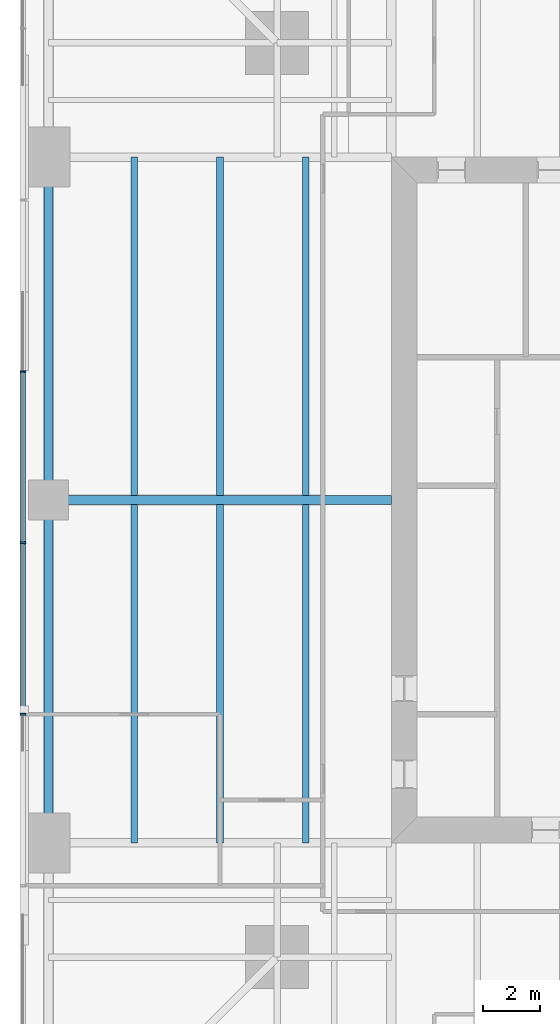
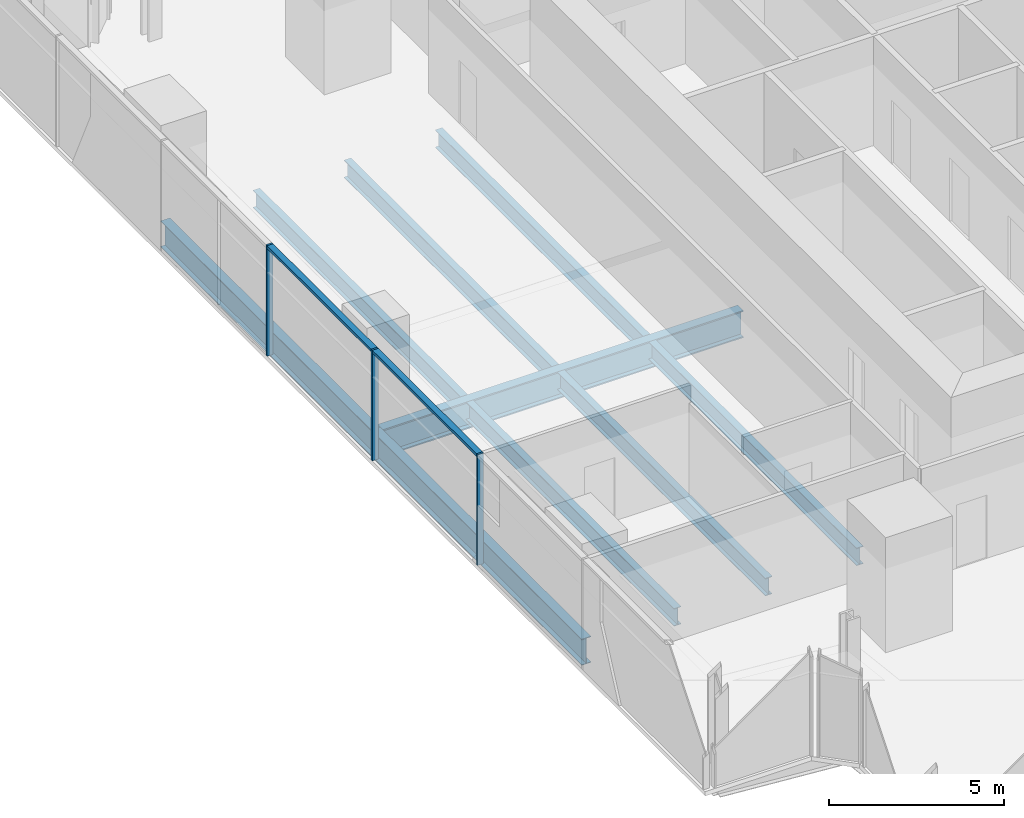
# One storey, part 4 of 13: 9 beams, 5 members, 1 element without a shape of its own.
"""IFC4 building model written with IfcOpenShell, lengths in metres."""

from ifc_helpers import new_model, si_unit, direction, frame, origin, origin_2d, place, context, subcontext, project, spatial, rectangle, i_section, extrude, material, material_profile, profile_set, type_object, element, aggregate, save


model = new_model("IFC4")

# Units and contexts
model_context = context("Model", 3, precision=1e-05, world=origin(), true_north=direction((0.0, 1.0)))
body_context = subcontext(model_context, "Body", "Model", "MODEL_VIEW")
ifc_project = project(units=[si_unit("LENGTHUNIT", "METRE"), si_unit("AREAUNIT", "SQUARE_METRE"), si_unit("VOLUMEUNIT", "CUBIC_METRE"), si_unit("PLANEANGLEUNIT", "RADIAN"), si_unit("MASSUNIT", "GRAM", prefix="KILO")], contexts=[model_context])

# Site, building, storey
site_placement = place(None, origin())
site = spatial("IfcSite", under=ifc_project, at=site_placement, CompositionType="ELEMENT")
building_placement = place(site_placement, origin())
building = spatial("IfcBuilding", under=site, at=building_placement, Name="Fenwick Lantern Interchange", CompositionType="ELEMENT")
storey_placement = place(building_placement, frame((0.0, 0.0, 126.39990234375)))
storey = spatial("IfcBuildingStorey", under=building, at=storey_placement, Name="L29", CompositionType="ELEMENT", Elevation=126.39990234375)

# Beams
ifc_material_1 = material(Name="Steel ASTM A992 Grade 50", Category="steel")
ifc_material_profile_1 = material_profile(ifc_material_1, i_section(OverallWidth=0.3046875, OverallDepth=0.911865234375, WebThickness=0.015869140625, FlangeThickness=0.02392578125, at=origin_2d()), Name="W36X150")
ifc_profile_set_1 = profile_set([ifc_material_profile_1], Name="Steel ASTM A992 Grade 50")
beam_type_1 = type_object("IfcBeamType", Name="EDGE BEAM W36X150", PredefinedType="SPANDREL", material=ifc_profile_set_1)
for number, where, z_axis, x_axis, name in (
    (1, (1.0, 37.0, -0.605712890625), (0.0, -1.0, 0.0), (1.0, 0.0, 0.0), "L29/FR/W/EB2"),
    (2, (1.0, 25.0, -0.605712890625), (0.0, -1.0, 0.0), (1.0, 0.0, 0.0), "L29/FR/W/EB3"),
):
    element("IfcBeam", number, at=place(storey_placement, frame(where, z_axis=z_axis, x_axis=x_axis)), inside=storey, type_object=beam_type_1, Name=name, PredefinedType="SPANDREL", context=body_context, shape_type="SweptSolid", body=[
        extrude(i_section(OverallWidth=0.3046875, OverallDepth=0.911865234375, WebThickness=0.015869140625, FlangeThickness=0.02392578125, at=origin_2d()), origin(), (0.0, 0.0, 1.0), 12.0),
    ])
ifc_material_profile_2 = material_profile(ifc_material_1, i_section(OverallWidth=0.22900390625, OverallDepth=0.612060546875, WebThickness=0.011962890625, FlangeThickness=0.01953125, at=origin_2d()), Name="W24X84")
ifc_profile_set_2 = profile_set([ifc_material_profile_2], Name="Steel ASTM A992 Grade 50")
beam_type_2 = type_object("IfcBeamType", Name="FLOOR BEAM W24X84", PredefinedType="BEAM", material=ifc_profile_set_2)
for number, where, z_axis, x_axis, name in (
    (3, (4.0, 37.0, -0.4560546875), (0.0, -1.0, 0.0), (1.0, 0.0, 0.0), "L29/FR/W/B01"),
    (4, (7.0, 37.0, -0.4560546875), (0.0, -1.0, 0.0), (1.0, 0.0, 0.0), "L29/FR/W/B02"),
    (5, (10.0, 37.0, -0.4560546875), (0.0, -1.0, 0.0), (1.0, 0.0, 0.0), "L29/FR/W/B03"),
    (6, (4.0, 24.844970703125, -0.4560546875), (0.0, -1.0, 0.0), (1.0, 0.0, 0.0), "L29/FR/W/B04"),
    (7, (7.0, 24.844970703125, -0.4560546875), (0.0, -1.0, 0.0), (1.0, 0.0, 0.0), "L29/FR/W/B05"),
    (8, (10.0, 24.844970703125, -0.4560546875), (0.0, -1.0, 0.0), (1.0, 0.0, 0.0), "L29/FR/W/B06"),
):
    element("IfcBeam", number, at=place(storey_placement, frame(where, z_axis=z_axis, x_axis=x_axis)), inside=storey, type_object=beam_type_2, Name=name, PredefinedType="BEAM", context=body_context, shape_type="SweptSolid", body=[
        extrude(i_section(OverallWidth=0.22900390625, OverallDepth=0.612060546875, WebThickness=0.011962890625, FlangeThickness=0.01953125, at=origin_2d()), origin(), (0.0, 0.0, 1.0), 11.844970703125),
    ])
ifc_material_profile_3 = material_profile(ifc_material_1, i_section(OverallWidth=0.309814453125, OverallDepth=0.949951171875, WebThickness=0.0244140625, FlangeThickness=0.0439453125, at=origin_2d()), Name="W36X256")
ifc_profile_set_3 = profile_set([ifc_material_profile_3], Name="Steel ASTM A992 Grade 50")
beam_type_3 = type_object("IfcBeamType", Name="MOMENT-CONNECTED GIRDER W36X256", PredefinedType="BEAM", material=ifc_profile_set_3)
beam_placement = place(storey_placement, frame((1.0, 25.0, -0.625), z_axis=(1.0, 0.0, 0.0), x_axis=(0.0, 1.0, 0.0)))
element("IfcBeam", 9, at=beam_placement, inside=storey, type_object=beam_type_3, Name="L29/FR/W/R02", PredefinedType="BEAM", context=body_context, shape_type="SweptSolid", body=[
    extrude(i_section(OverallWidth=0.309814453125, OverallDepth=0.949951171875, WebThickness=0.0244140625, FlangeThickness=0.0439453125, at=origin_2d()), origin(), (0.0, 0.0, 1.0), 12.0),
])

# Curtain wall, members
ifc_material_2 = material(Name="Aluminium curtain wall frame", Category="aluminium")
curtain_wall_type = type_object("IfcCurtainWallType", Name="OFFICE CURTAIN WALL", PredefinedType="USERDEFINED", material=ifc_material_2)
curtain_wall_placement = place(storey_placement, origin())
curtain_wall = element("IfcCurtainWall", 10, at=curtain_wall_placement, inside=storey, type_object=curtain_wall_type, Name="Office curtain wall 13", ObjectType="OFFICE CURTAIN WALL", PredefinedType="USERDEFINED")
ifc_material_3 = material(Name="Aluminium extrusion", Category="aluminium")
ifc_material_profile_4 = material_profile(ifc_material_3, rectangle(XDim=0.199951171875, YDim=0.06494140625, at=origin_2d()), Name="OFFICE CURTAIN WALL MULLION 65 X 200")
ifc_profile_set_4 = profile_set([ifc_material_profile_4], Name="Aluminium extrusion")
member_type_1 = type_object("IfcMemberType", Name="OFFICE CURTAIN WALL MULLION 65 X 200", PredefinedType="MULLION", material=ifc_profile_set_4)
member_1_placement = place(storey_placement, frame((0.10009765625, 29.5, 0.0), z_axis=(0.0, 0.0, 1.0), x_axis=(1.0, 0.0, 0.0)))
member_1 = element("IfcMember", 11, at=member_1_placement, type_object=member_type_1, Name="L29/CW/13/M03", PredefinedType="MULLION", context=body_context, shape_type="SweptSolid", body=[
    extrude(rectangle(XDim=0.199951171875, YDim=0.06494140625, at=origin_2d()), origin(), (0.0, 0.0, 1.0), 3.85009765625),
])
member_2_placement = place(storey_placement, frame((0.10009765625, 23.5, 0.0), z_axis=(0.0, 0.0, 1.0), x_axis=(1.0, 0.0, 0.0)))
member_2 = element("IfcMember", 12, at=member_2_placement, type_object=member_type_1, Name="L29/CW/13/M04", PredefinedType="MULLION", context=body_context, shape_type="SweptSolid", body=[
    extrude(rectangle(XDim=0.199951171875, YDim=0.06494140625, at=origin_2d()), origin(), (0.0, 0.0, 1.0), 3.85009765625),
])
member_3_placement = place(storey_placement, frame((0.10009765625, 17.5, 0.0), z_axis=(0.0, 0.0, 1.0), x_axis=(1.0, 0.0, 0.0)))
member_3 = element("IfcMember", 13, at=member_3_placement, type_object=member_type_1, Name="L29/CW/13/M05", PredefinedType="MULLION", context=body_context, shape_type="SweptSolid", body=[
    extrude(rectangle(XDim=0.199951171875, YDim=0.06494140625, at=origin_2d()), origin(), (0.0, 0.0, 1.0), 3.85009765625),
])
ifc_material_profile_5 = material_profile(ifc_material_3, rectangle(XDim=0.199951171875, YDim=0.10009765625, at=origin_2d()), Name="OFFICE CURTAIN WALL TRANSOM 100 X 200")
ifc_profile_set_5 = profile_set([ifc_material_profile_5], Name="Aluminium extrusion")
member_type_2 = type_object("IfcMemberType", Name="OFFICE CURTAIN WALL TRANSOM 100 X 200", PredefinedType="MULLION", material=ifc_profile_set_5)
member_4_placement = place(storey_placement, frame((0.10009765625, 29.467529296875, 3.800048828125), z_axis=(0.0, -1.0, 0.0), x_axis=(1.0, 0.0, 0.0)))
member_4 = element("IfcMember", 14, at=member_4_placement, type_object=member_type_2, Name="L29/CW/13/T03", PredefinedType="MULLION", context=body_context, shape_type="SweptSolid", body=[
    extrude(rectangle(XDim=0.199951171875, YDim=0.10009765625, at=origin_2d()), origin(), (0.0, 0.0, 1.0), 5.93505859375),
])
member_5_placement = place(storey_placement, frame((0.10009765625, 23.467529296875, 3.800048828125), z_axis=(0.0, -1.0, 0.0), x_axis=(1.0, 0.0, 0.0)))
member_5 = element("IfcMember", 15, at=member_5_placement, type_object=member_type_2, Name="L29/CW/13/T04", PredefinedType="MULLION", context=body_context, shape_type="SweptSolid", body=[
    extrude(rectangle(XDim=0.199951171875, YDim=0.10009765625, at=origin_2d()), origin(), (0.0, 0.0, 1.0), 5.93505859375),
])
aggregate(curtain_wall, [member_1, member_2, member_3, member_4, member_5])

save(model, "model.ifc")
